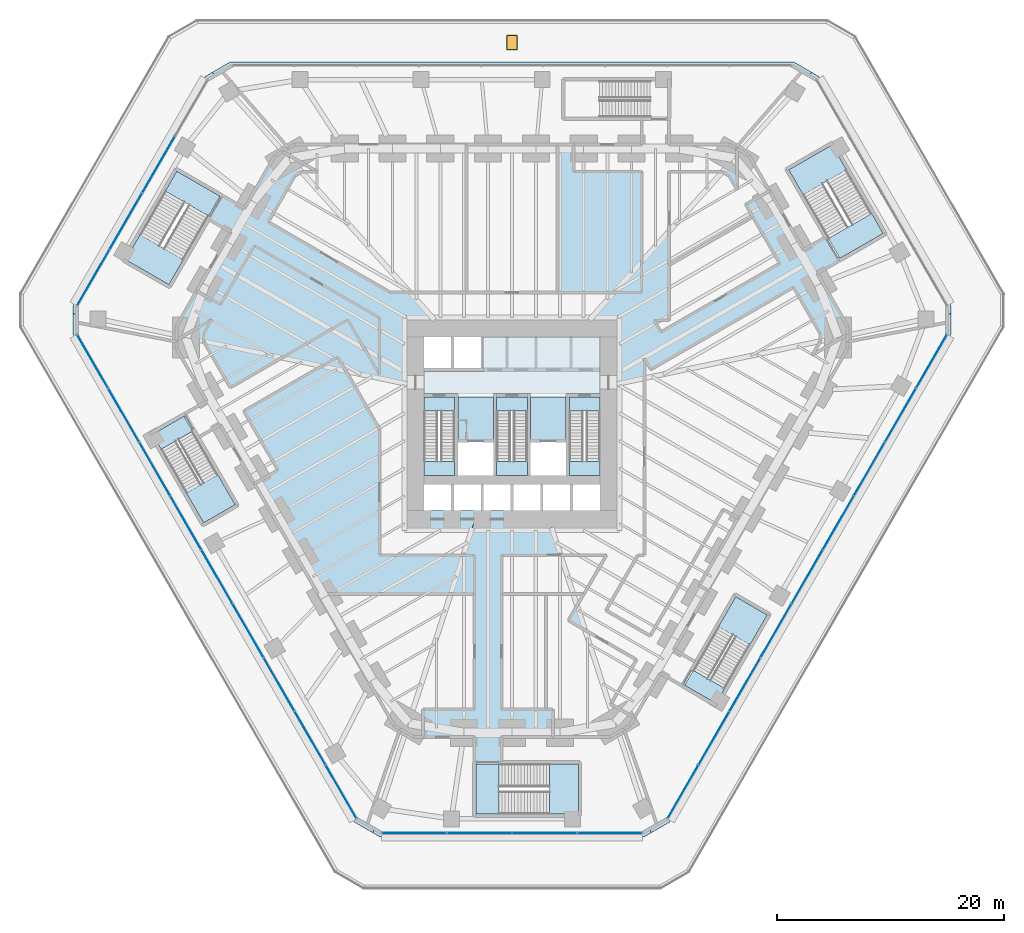
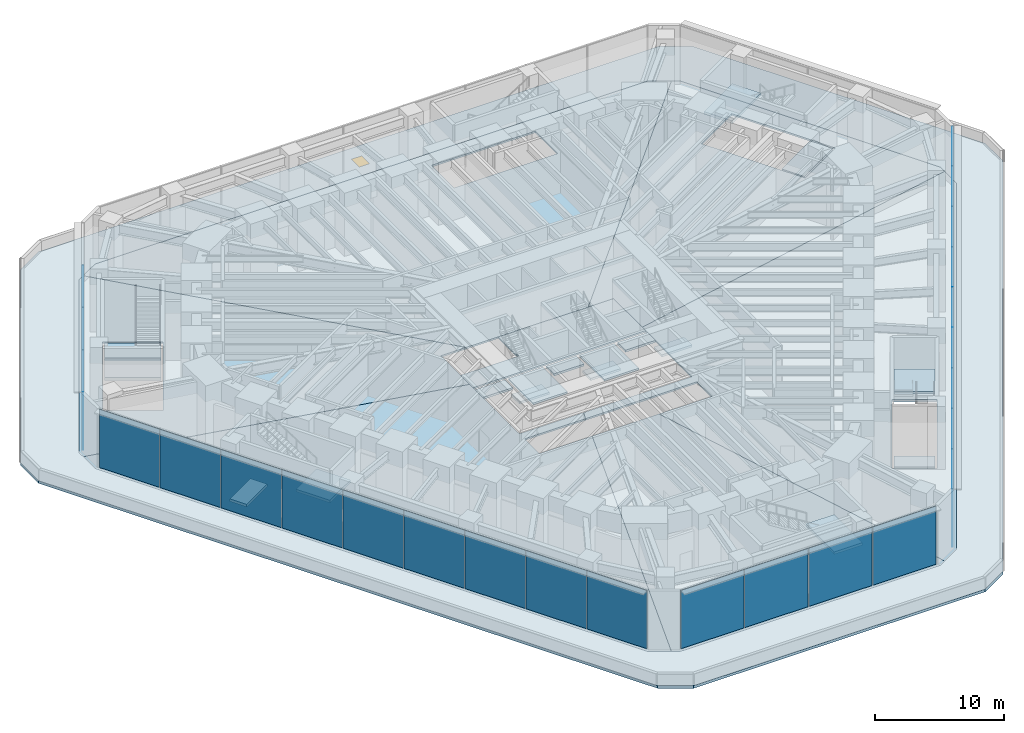
# One storey, part 12 of 24: 26 slabs, 25 plates, 1 window, 1 opening, 12 elements without a shape of their own.
"""IFC4 building model written with IfcOpenShell, lengths in metres."""

import ifcopenshell
import ifcopenshell.guid

model = None  # the IFC model being written
_history = None  # IfcOwnerHistory: only IFC2X3 demands one
_inside = {}  # id of a spatial element -> (the spatial element, [elements in it])
_under = {}  # id of a project, library or spatial element -> (it, [spatial elements below it])
_declared = {}  # id of a project -> (the project, [libraries it declares])
_typed = {}  # id of a type object -> (the type object, [elements of that type])
_made_of = {}  # id of a material, layer set ... -> (it, [elements and type objects made of it])


def new_model(schema):
    """Start an empty IFC model of exactly this schema.

    Asked for "IFC4X3", IfcOpenShell would pick the latest addendum, in which some entities
    have other attributes; the version numbers below select the first issue.
    IFC2X3 requires an IfcOwnerHistory on every rooted entity: one is made here for all.
    """
    global model, _history
    if schema == "IFC4X3":
        model = ifcopenshell.file(schema_version=(4, 3, 0, 0))
    else:
        model = ifcopenshell.file(schema=schema)
    _inside.clear()
    _under.clear()
    _declared.clear()
    _typed.clear()
    _made_of.clear()
    _history = None
    if model.schema == "IFC2X3":
        org = make("IfcOrganization", Name="unknown")
        user = make(
            "IfcPersonAndOrganization",
            ThePerson=make("IfcPerson", FamilyName="unknown"),
            TheOrganization=org,
        )
        app = make(
            "IfcApplication",
            ApplicationDeveloper=org,
            Version="unknown",
            ApplicationFullName="unknown",
            ApplicationIdentifier="unknown",
        )
        _history = make(
            "IfcOwnerHistory",
            OwningUser=user,
            OwningApplication=app,
            ChangeAction="ADDED",
            CreationDate=0,
        )
    return model


def make(cls, **values):
    """One entity of the class cls with the attributes given. An attribute that is None is left unset."""
    return model.create_entity(
        cls, **{name: value for name, value in values.items() if value is not None}
    )


def rooted(cls, **values):
    """An entity with a GlobalId (a new one), such as an element, a storey or a relation."""
    return make(cls, GlobalId=ifcopenshell.guid.new(), OwnerHistory=_history, **values)


def si_unit(unit_type, name, prefix=None):
    """IfcSIUnit, for example si_unit("LENGTHUNIT", "METRE", prefix="MILLI")."""
    return make("IfcSIUnit", UnitType=unit_type, Prefix=prefix, Name=name)


def assignment(units):
    """IfcUnitAssignment: the units of a project."""
    return None if units is None else make("IfcUnitAssignment", Units=units)


def point(xyz):
    """IfcCartesianPoint."""
    return None if xyz is None else make("IfcCartesianPoint", Coordinates=xyz)


def direction(xyz):
    """IfcDirection."""
    return None if xyz is None else make("IfcDirection", DirectionRatios=xyz)


def frame(location, z_axis=None, x_axis=None):
    """IfcAxis2Placement3D, a coordinate frame: its origin and axes. An axis left out is left unset."""
    return make(
        "IfcAxis2Placement3D",
        Location=point(location),
        Axis=direction(z_axis),
        RefDirection=direction(x_axis),
    )


def frame_2d(location, x_axis=None):
    """IfcAxis2Placement2D, a coordinate frame in the plane: its origin and x axis."""
    return make(
        "IfcAxis2Placement2D", Location=point(location), RefDirection=direction(x_axis)
    )


def origin():
    """The frame at (0, 0, 0) with its axes left unset."""
    return frame((0.0, 0.0, 0.0))


def origin_2d():
    """The frame at (0, 0) in the plane with its x axis left unset."""
    return frame_2d((0.0, 0.0))


def place(relative_to, where):
    """IfcLocalPlacement: puts the frame where relative to a parent placement (None: the world)."""
    return make(
        "IfcLocalPlacement", PlacementRelTo=relative_to, RelativePlacement=where
    )


def context(
    kind, dimensions, precision=None, world=None, true_north=None, identifier=None
):
    """IfcGeometricRepresentationContext, for example the 3D "Model" context."""
    return make(
        "IfcGeometricRepresentationContext",
        ContextIdentifier=identifier,
        ContextType=kind,
        CoordinateSpaceDimension=dimensions,
        Precision=precision,
        WorldCoordinateSystem=world,
        TrueNorth=true_north,
    )


def subcontext(parent, identifier, kind, view, scale=None):
    """IfcGeometricRepresentationSubContext, for example "Body" below "Model"."""
    return make(
        "IfcGeometricRepresentationSubContext",
        ContextIdentifier=identifier,
        ContextType=kind,
        ParentContext=parent,
        TargetScale=scale,
        TargetView=view,
    )


def project(units=None, contexts=None):
    """IfcProject with its units and contexts."""
    return rooted(
        "IfcProject",
        Name="project",
        RepresentationContexts=contexts,
        UnitsInContext=assignment(units),
    )


def spatial(cls, under=None, at=None, **own):
    """A site, building, storey or space (cls), placed at a placement, below another one or the project."""
    s = rooted(cls, ObjectPlacement=at, **own)
    if under is not None:
        _under.setdefault(under.id(), (under, []))[1].append(s)
    return s


def polyline(points):
    """IfcPolyline through the points."""
    return make("IfcPolyline", Points=[point(p) for p in points])


def profile(cls, at=None, kind="AREA", **sizes):
    """A parametric profile (cls). Its sizes go by their IFC names, for example OverallWidth=200.0."""
    return make(cls, ProfileType=kind, Position=at, **sizes)


def rectangle(**sizes):
    """IfcRectangleProfileDef."""
    return profile("IfcRectangleProfileDef", **sizes)


def outline(outer, holes=None, kind="AREA"):
    """IfcArbitraryClosedProfileDef: a profile drawn as a closed curve; with holes, ...WithVoids."""
    if holes is None:
        return make("IfcArbitraryClosedProfileDef", ProfileType=kind, OuterCurve=outer)
    return make(
        "IfcArbitraryProfileDefWithVoids",
        ProfileType=kind,
        OuterCurve=outer,
        InnerCurves=holes,
    )


def extrude(swept, where, along, depth):
    """IfcExtrudedAreaSolid: the profile swept, set in the frame where, extruded along a direction by depth."""
    return make(
        "IfcExtrudedAreaSolid",
        SweptArea=swept,
        Position=where,
        ExtrudedDirection=direction(along),
        Depth=depth,
    )


def shape(context_of_items, identifier, shape_type, items):
    """IfcShapeRepresentation: the items that make up one representation, for example the "Body"."""
    return make(
        "IfcShapeRepresentation",
        ContextOfItems=context_of_items,
        RepresentationIdentifier=identifier,
        RepresentationType=shape_type,
        Items=items,
    )


def material(Name=None, Category=None):
    """IfcMaterial."""
    return make("IfcMaterial", Name=Name, Category=Category)


def layer(
    of_material, thickness, ventilated=None, Name=None, Category=None, Priority=None
):
    """IfcMaterialLayer: one layer of a wall or slab, of a material (None: an air gap)."""
    return make(
        "IfcMaterialLayer",
        Material=of_material,
        LayerThickness=thickness,
        IsVentilated=ventilated,
        Name=Name,
        Category=Category,
        Priority=Priority,
    )


def layer_set(layers, Name=None):
    """IfcMaterialLayerSet."""
    return make("IfcMaterialLayerSet", MaterialLayers=layers, LayerSetName=Name)


def made_of(thing, what):
    """Note that an element or type object is made of a material, layer set ...; save() writes the relation."""
    if what is not None:
        _made_of.setdefault(what.id(), (what, []))[1].append(thing)
    return thing


def type_object(cls, material=None, **own):
    """A type object (cls), such as IfcWallType, which elements share."""
    return made_of(rooted(cls, **own), material)


def element(
    cls,
    number,
    at=None,
    inside=None,
    cuts=None,
    type_object=None,
    material=None,
    context=None,
    identifier="Body",
    shape_type=None,
    held_by="IfcProductDefinitionShape",
    body=None,
    shapes=None,
    **own,
):
    """One element of the class cls, such as IfcWall. Its Tag is "e" and its number.

    at: its placement. inside: the storey or other place that contains it. cuts: it is an
    opening in that element (IfcRelVoidsElement). A single representation is given by context,
    identifier, shape_type and body (its items); several are given by shapes. held_by: the class
    of the entity that holds the representations. save() writes the other relations.
    """
    e = rooted(cls, Tag="e%d" % number, ObjectPlacement=at, **own)
    if body is not None:
        shapes = [shape(context, identifier, shape_type, body)]
    if shapes is not None:
        e.Representation = make(held_by, Representations=shapes)
    if inside is not None:
        _inside.setdefault(inside.id(), (inside, []))[1].append(e)
    if cuts is not None:
        rooted(
            "IfcRelVoidsElement", RelatingBuildingElement=cuts, RelatedOpeningElement=e
        )
    if type_object is not None:
        _typed.setdefault(type_object.id(), (type_object, []))[1].append(e)
    return made_of(e, material)


def fill(opening, filler):
    """IfcRelFillsElement: the door or window that sits in an opening."""
    return rooted(
        "IfcRelFillsElement",
        RelatingOpeningElement=opening,
        RelatedBuildingElement=filler,
    )


def aggregate(whole, parts):
    """IfcRelAggregates: a whole, such as a stair, and the parts it consists of."""
    return rooted("IfcRelAggregates", RelatingObject=whole, RelatedObjects=parts)


def save(model, path):
    """Write the relations noted so far, then the file.

    IfcRelAggregates (storeys below a building ...), IfcRelContainedInSpatialStructure (elements
    in a storey), IfcRelDefinesByType, IfcRelAssociatesMaterial and IfcRelDeclares: one each for
    every whole, place, type object, material and project.
    """
    for whole, parts in _under.values():
        aggregate(whole, parts)
    for where, things in _inside.values():
        rooted(
            "IfcRelContainedInSpatialStructure",
            RelatedElements=things,
            RelatingStructure=where,
        )
    for kind, things in _typed.values():
        rooted("IfcRelDefinesByType", RelatedObjects=things, RelatingType=kind)
    for what, things in _made_of.values():
        rooted("IfcRelAssociatesMaterial", RelatedObjects=things, RelatingMaterial=what)
    for by, libraries in _declared.values():
        rooted("IfcRelDeclares", RelatingContext=by, RelatedDefinitions=libraries)
    model.write(path)


model = new_model("IFC4")

# Units and contexts
model_context = context("Model", 3, precision=1e-05, world=origin(), true_north=direction((0.0, 1.0)))
body_context = subcontext(model_context, "Body", "Model", "MODEL_VIEW")
ifc_project = project(units=[si_unit("LENGTHUNIT", "METRE"), si_unit("AREAUNIT", "SQUARE_METRE"), si_unit("VOLUMEUNIT", "CUBIC_METRE"), si_unit("PLANEANGLEUNIT", "RADIAN"), si_unit("MASSUNIT", "GRAM", prefix="KILO")], contexts=[model_context])

# Site, building, storey
site_placement = place(None, origin())
site = spatial("IfcSite", under=ifc_project, at=site_placement, CompositionType="ELEMENT")
building_placement = place(site_placement, origin())
building = spatial("IfcBuilding", under=site, at=building_placement, Name="Sandreach Pilgrim Tower", CompositionType="ELEMENT")
storey_placement = place(building_placement, frame((0.0, 0.0, 12.0)))
storey = spatial("IfcBuildingStorey", under=building, at=storey_placement, Name="L02", CompositionType="ELEMENT", Elevation=12.0)

# Curtain wall, plates
ifc_material_1 = material(Name="Aluminium framed curtain wall", Category="aluminium")
curtain_wall_type = type_object("IfcCurtainWallType", Name="Podium storefront curtain wall", PredefinedType="NOTDEFINED", material=ifc_material_1)
curtain_wall_1_placement = place(storey_placement, origin())
curtain_wall_1 = element("IfcCurtainWall", 1, at=curtain_wall_1_placement, inside=storey, type_object=curtain_wall_type, Name="CW-P L02 SE", PredefinedType="NOTDEFINED")
ifc_material_2 = material(Name="Laminated safety insulating glass unit 10.76 laminated + 16 argon + 10.76 laminated", Category="glass")
ifc_layer_1 = layer(ifc_material_2, 0.0380859375)
ifc_layer_set_1 = layer_set([ifc_layer_1], Name="CW-P panel")
plate_type = type_object("IfcPlateType", Name="CW-P panel", PredefinedType="CURTAIN_PANEL", material=ifc_layer_set_1)
plate_1_placement = place(storey_placement, frame((36.9296875, 3.942138671875, 0.0), z_axis=(0.0, 0.0, 1.0), x_axis=(-0.5, -0.866025403784, 0.0)))
plate_1 = element("IfcPlate", 2, at=plate_1_placement, type_object=plate_type, Name="CW-P panel 1", PredefinedType="CURTAIN_PANEL", context=body_context, shape_type="SweptSolid", body=[
    extrude(rectangle(XDim=5.369140625, YDim=0.0380859375, at=origin_2d()), origin(), (0.0, 0.0, 1.0), 5.530029296875),
])
plate_2_placement = place(storey_placement, frame((34.201416015625, -0.783447265625, 0.0), z_axis=(0.0, 0.0, 1.0), x_axis=(-0.5, -0.866025403784, 0.0)))
plate_2 = element("IfcPlate", 3, at=plate_2_placement, type_object=plate_type, Name="CW-P panel 2", PredefinedType="CURTAIN_PANEL", context=body_context, shape_type="SweptSolid", body=[
    extrude(rectangle(XDim=5.404052734375, YDim=0.0380859375, at=origin_2d()), origin(), (0.0, 0.0, 1.0), 5.530029296875),
])
plate_3_placement = place(storey_placement, frame((31.46435546875, -5.52392578125, 0.0), z_axis=(0.0, 0.0, 1.0), x_axis=(-0.5, -0.866025403784, 0.0)))
plate_3 = element("IfcPlate", 4, at=plate_3_placement, type_object=plate_type, Name="CW-P panel 3", PredefinedType="CURTAIN_PANEL", context=body_context, shape_type="SweptSolid", body=[
    extrude(rectangle(XDim=5.404052734375, YDim=0.0380859375, at=origin_2d()), origin(), (0.0, 0.0, 1.0), 5.530029296875),
])
plate_4_placement = place(storey_placement, frame((28.727294921875, -10.2646484375, 0.0), z_axis=(0.0, 0.0, 1.0), x_axis=(-0.5, -0.866025403784, 0.0)))
plate_4 = element("IfcPlate", 5, at=plate_4_placement, type_object=plate_type, Name="CW-P panel 4", PredefinedType="CURTAIN_PANEL", context=body_context, shape_type="SweptSolid", body=[
    extrude(rectangle(XDim=5.404052734375, YDim=0.0380859375, at=origin_2d()), origin(), (0.0, 0.0, 1.0), 5.530029296875),
])
plate_5_placement = place(storey_placement, frame((25.990234375, -15.00537109375, 0.0), z_axis=(0.0, 0.0, 1.0), x_axis=(-0.5, -0.866025403784, 0.0)))
plate_5 = element("IfcPlate", 6, at=plate_5_placement, type_object=plate_type, Name="CW-P panel 5", PredefinedType="CURTAIN_PANEL", context=body_context, shape_type="SweptSolid", body=[
    extrude(rectangle(XDim=5.404052734375, YDim=0.0380859375, at=origin_2d()), origin(), (0.0, 0.0, 1.0), 5.530029296875),
])
plate_6_placement = place(storey_placement, frame((23.253173828125, -19.74609375, 0.0), z_axis=(0.0, 0.0, 1.0), x_axis=(-0.5, -0.866025403784, 0.0)))
plate_6 = element("IfcPlate", 7, at=plate_6_placement, type_object=plate_type, Name="CW-P panel 6", PredefinedType="CURTAIN_PANEL", context=body_context, shape_type="SweptSolid", body=[
    extrude(rectangle(XDim=5.404052734375, YDim=0.0380859375, at=origin_2d()), origin(), (0.0, 0.0, 1.0), 5.530029296875),
])
plate_7_placement = place(storey_placement, frame((20.51611328125, -24.48681640625, 0.0), z_axis=(0.0, 0.0, 1.0), x_axis=(-0.5, -0.866025403784, 0.0)))
plate_7 = element("IfcPlate", 8, at=plate_7_placement, type_object=plate_type, Name="CW-P panel 7", PredefinedType="CURTAIN_PANEL", context=body_context, shape_type="SweptSolid", body=[
    extrude(rectangle(XDim=5.404052734375, YDim=0.0380859375, at=origin_2d()), origin(), (0.0, 0.0, 1.0), 5.530029296875),
])
plate_8_placement = place(storey_placement, frame((17.779052734375, -29.2275390625, 0.0), z_axis=(0.0, 0.0, 1.0), x_axis=(-0.5, -0.866025403784, 0.0)))
plate_8 = element("IfcPlate", 9, at=plate_8_placement, type_object=plate_type, Name="CW-P panel 8", PredefinedType="CURTAIN_PANEL", context=body_context, shape_type="SweptSolid", body=[
    extrude(rectangle(XDim=5.404052734375, YDim=0.0380859375, at=origin_2d()), origin(), (0.0, 0.0, 1.0), 5.530029296875),
])
plate_9_placement = place(storey_placement, frame((15.05078125, -33.953125, 0.0), z_axis=(0.0, 0.0, 1.0), x_axis=(-0.5, -0.866025403784, 0.0)))
plate_9 = element("IfcPlate", 10, at=plate_9_placement, type_object=plate_type, Name="CW-P panel 9", PredefinedType="CURTAIN_PANEL", context=body_context, shape_type="SweptSolid", body=[
    extrude(rectangle(XDim=5.369140625, YDim=0.0380859375, at=origin_2d()), origin(), (0.0, 0.0, 1.0), 5.530029296875),
])
aggregate(curtain_wall_1, [plate_1, plate_2, plate_3, plate_4, plate_5, plate_6, plate_7, plate_8, plate_9])

curtain_wall_2_placement = place(storey_placement, origin())
curtain_wall_2 = element("IfcCurtainWall", 11, at=curtain_wall_2_placement, inside=storey, type_object=curtain_wall_type, Name="CW-P L02 S", PredefinedType="NOTDEFINED")
plate_10_placement = place(storey_placement, frame((8.61376953125, -37.588623046875, 0.0), z_axis=(0.0, 0.0, 1.0), x_axis=(-1.0, 0.0, 0.0)))
plate_10 = element("IfcPlate", 12, at=plate_10_placement, type_object=plate_type, Name="CW-P panel 1", PredefinedType="CURTAIN_PANEL", context=body_context, shape_type="SweptSolid", body=[
    extrude(rectangle(XDim=5.649169921875, YDim=0.0380859375, at=origin_2d()), origin(), (0.0, 0.0, 1.0), 5.530029296875),
])
plate_11_placement = place(storey_placement, frame((2.877197265625, -37.588623046875, 0.0), z_axis=(0.0, 0.0, 1.0), x_axis=(-1.0, 0.0, 0.0)))
plate_11 = element("IfcPlate", 13, at=plate_11_placement, type_object=plate_type, Name="CW-P panel 2", PredefinedType="CURTAIN_PANEL", context=body_context, shape_type="SweptSolid", body=[
    extrude(rectangle(XDim=5.684326171875, YDim=0.0380859375, at=origin_2d()), origin(), (0.0, 0.0, 1.0), 5.530029296875),
])
plate_12_placement = place(storey_placement, frame((-2.877197265625, -37.588623046875, 0.0), z_axis=(0.0, 0.0, 1.0), x_axis=(-1.0, 0.0, 0.0)))
plate_12 = element("IfcPlate", 14, at=plate_12_placement, type_object=plate_type, Name="CW-P panel 3", PredefinedType="CURTAIN_PANEL", context=body_context, shape_type="SweptSolid", body=[
    extrude(rectangle(XDim=5.684326171875, YDim=0.0380859375, at=origin_2d()), origin(), (0.0, 0.0, 1.0), 5.530029296875),
])
plate_13_placement = place(storey_placement, frame((-8.61376953125, -37.588623046875, 0.0), z_axis=(0.0, 0.0, 1.0), x_axis=(-1.0, 0.0, 0.0)))
plate_13 = element("IfcPlate", 15, at=plate_13_placement, type_object=plate_type, Name="CW-P panel 4", PredefinedType="CURTAIN_PANEL", context=body_context, shape_type="SweptSolid", body=[
    extrude(rectangle(XDim=5.649169921875, YDim=0.0380859375, at=origin_2d()), origin(), (0.0, 0.0, 1.0), 5.530029296875),
])
aggregate(curtain_wall_2, [plate_10, plate_11, plate_12, plate_13])

curtain_wall_3_placement = place(storey_placement, origin())
curtain_wall_3 = element("IfcCurtainWall", 16, at=curtain_wall_3_placement, inside=storey, type_object=curtain_wall_type, Name="CW-P L02 SW", PredefinedType="NOTDEFINED")
plate_14_placement = place(storey_placement, frame((-15.05078125, -33.953125, 0.0), z_axis=(0.0, 0.0, 1.0), x_axis=(-0.5, 0.866025403784, 0.0)))
plate_14 = element("IfcPlate", 17, at=plate_14_placement, type_object=plate_type, Name="CW-P panel 1", PredefinedType="CURTAIN_PANEL", context=body_context, shape_type="SweptSolid", body=[
    extrude(rectangle(XDim=5.369140625, YDim=0.0380859375, at=origin_2d()), origin(), (0.0, 0.0, 1.0), 5.530029296875),
])
plate_15_placement = place(storey_placement, frame((-17.779052734375, -29.2275390625, 0.0), z_axis=(0.0, 0.0, 1.0), x_axis=(-0.5, 0.866025403784, 0.0)))
plate_15 = element("IfcPlate", 18, at=plate_15_placement, type_object=plate_type, Name="CW-P panel 2", PredefinedType="CURTAIN_PANEL", context=body_context, shape_type="SweptSolid", body=[
    extrude(rectangle(XDim=5.404052734375, YDim=0.0380859375, at=origin_2d()), origin(), (0.0, 0.0, 1.0), 5.530029296875),
])
plate_16_placement = place(storey_placement, frame((-20.51611328125, -24.48681640625, 0.0), z_axis=(0.0, 0.0, 1.0), x_axis=(-0.5, 0.866025403784, 0.0)))
plate_16 = element("IfcPlate", 19, at=plate_16_placement, type_object=plate_type, Name="CW-P panel 3", PredefinedType="CURTAIN_PANEL", context=body_context, shape_type="SweptSolid", body=[
    extrude(rectangle(XDim=5.404052734375, YDim=0.0380859375, at=origin_2d()), origin(), (0.0, 0.0, 1.0), 5.530029296875),
])
plate_17_placement = place(storey_placement, frame((-23.253173828125, -19.74609375, 0.0), z_axis=(0.0, 0.0, 1.0), x_axis=(-0.5, 0.866025403784, 0.0)))
plate_17 = element("IfcPlate", 20, at=plate_17_placement, type_object=plate_type, Name="CW-P panel 4", PredefinedType="CURTAIN_PANEL", context=body_context, shape_type="SweptSolid", body=[
    extrude(rectangle(XDim=5.404052734375, YDim=0.0380859375, at=origin_2d()), origin(), (0.0, 0.0, 1.0), 5.530029296875),
])
plate_18_placement = place(storey_placement, frame((-25.990234375, -15.00537109375, 0.0), z_axis=(0.0, 0.0, 1.0), x_axis=(-0.5, 0.866025403784, 0.0)))
plate_18 = element("IfcPlate", 21, at=plate_18_placement, type_object=plate_type, Name="CW-P panel 5", PredefinedType="CURTAIN_PANEL", context=body_context, shape_type="SweptSolid", body=[
    extrude(rectangle(XDim=5.404052734375, YDim=0.0380859375, at=origin_2d()), origin(), (0.0, 0.0, 1.0), 5.530029296875),
])
plate_19_placement = place(storey_placement, frame((-28.727294921875, -10.2646484375, 0.0), z_axis=(0.0, 0.0, 1.0), x_axis=(-0.5, 0.866025403784, 0.0)))
plate_19 = element("IfcPlate", 22, at=plate_19_placement, type_object=plate_type, Name="CW-P panel 6", PredefinedType="CURTAIN_PANEL", context=body_context, shape_type="SweptSolid", body=[
    extrude(rectangle(XDim=5.404052734375, YDim=0.0380859375, at=origin_2d()), origin(), (0.0, 0.0, 1.0), 5.530029296875),
])
plate_20_placement = place(storey_placement, frame((-31.46435546875, -5.52392578125, 0.0), z_axis=(0.0, 0.0, 1.0), x_axis=(-0.5, 0.866025403784, 0.0)))
plate_20 = element("IfcPlate", 23, at=plate_20_placement, type_object=plate_type, Name="CW-P panel 7", PredefinedType="CURTAIN_PANEL", context=body_context, shape_type="SweptSolid", body=[
    extrude(rectangle(XDim=5.404052734375, YDim=0.0380859375, at=origin_2d()), origin(), (0.0, 0.0, 1.0), 5.530029296875),
])
plate_21_placement = place(storey_placement, frame((-34.201416015625, -0.783447265625, 0.0), z_axis=(0.0, 0.0, 1.0), x_axis=(-0.5, 0.866025403784, 0.0)))
plate_21 = element("IfcPlate", 24, at=plate_21_placement, type_object=plate_type, Name="CW-P panel 8", PredefinedType="CURTAIN_PANEL", context=body_context, shape_type="SweptSolid", body=[
    extrude(rectangle(XDim=5.404052734375, YDim=0.0380859375, at=origin_2d()), origin(), (0.0, 0.0, 1.0), 5.530029296875),
])
plate_22_placement = place(storey_placement, frame((-36.9296875, 3.942138671875, 0.0), z_axis=(0.0, 0.0, 1.0), x_axis=(-0.5, 0.866025403784, 0.0)))
plate_22 = element("IfcPlate", 25, at=plate_22_placement, type_object=plate_type, Name="CW-P panel 9", PredefinedType="CURTAIN_PANEL", context=body_context, shape_type="SweptSolid", body=[
    extrude(rectangle(XDim=5.369140625, YDim=0.0380859375, at=origin_2d()), origin(), (0.0, 0.0, 1.0), 5.530029296875),
])
aggregate(curtain_wall_3, [plate_14, plate_15, plate_16, plate_17, plate_18, plate_19, plate_20, plate_21, plate_22])

curtain_wall_4_placement = place(storey_placement, origin())
curtain_wall_4 = element("IfcCurtainWall", 26, at=curtain_wall_4_placement, inside=storey, type_object=curtain_wall_type, Name="CW-P L02 NW", PredefinedType="NOTDEFINED")
plate_23_placement = place(storey_placement, frame((-36.859619140625, 11.33447265625, 0.0), z_axis=(0.0, 0.0, 1.0), x_axis=(0.5, 0.866025403784, 0.0)))
plate_23 = element("IfcPlate", 27, at=plate_23_placement, type_object=plate_type, Name="CW-P panel 1", PredefinedType="CURTAIN_PANEL", context=body_context, shape_type="SweptSolid", body=[
    extrude(rectangle(XDim=5.649169921875, YDim=0.0380859375, at=origin_2d()), origin(), (0.0, 0.0, 1.0), 5.530029296875),
])
plate_24_placement = place(storey_placement, frame((-33.9912109375, 16.302734375, 0.0), z_axis=(0.0, 0.0, 1.0), x_axis=(0.5, 0.866025403784, 0.0)))
plate_24 = element("IfcPlate", 28, at=plate_24_placement, type_object=plate_type, Name="CW-P panel 2", PredefinedType="CURTAIN_PANEL", context=body_context, shape_type="SweptSolid", body=[
    extrude(rectangle(XDim=5.684326171875, YDim=0.0380859375, at=origin_2d()), origin(), (0.0, 0.0, 1.0), 5.530029296875),
])
plate_25_placement = place(storey_placement, frame((-31.1142578125, 21.285888671875, 0.0), z_axis=(0.0, 0.0, 1.0), x_axis=(0.5, 0.866025403784, 0.0)))
plate_25 = element("IfcPlate", 29, at=plate_25_placement, type_object=plate_type, Name="CW-P panel 3", PredefinedType="CURTAIN_PANEL", context=body_context, shape_type="SweptSolid", body=[
    extrude(rectangle(XDim=5.684326171875, YDim=0.0380859375, at=origin_2d()), origin(), (0.0, 0.0, 1.0), 5.530029296875),
])
aggregate(curtain_wall_4, [plate_23, plate_24, plate_25])

# Slabs
ifc_material_3 = material(Name="Concrete 8000 psi", Category="concrete")
ifc_layer_2 = layer(ifc_material_3, 0.159912109375)
ifc_layer_set_2 = layer_set([ifc_layer_2], Name="Composite floor slab 160")
slab_type_1 = type_object("IfcSlabType", Name="Composite floor slab 160", PredefinedType="FLOOR", material=ifc_layer_set_2)
slab_1_placement = place(storey_placement, frame((0.0, 0.0, -0.159912109375)))
element("IfcSlab", 30, at=slab_1_placement, inside=storey, type_object=slab_type_1, Name="Floor slab L02 N sector", PredefinedType="FLOOR", context=body_context, shape_type="SweptSolid", body=[
    extrude(outline(polyline([(-24.806640625, 30.310791015625), (24.806640625, 30.310791015625), (26.394287109375, 29.394287109375), (5.477294921875, 6.10009765625), (-5.477294921875, 6.10009765625), (-26.394287109375, 29.394287109375), (-24.806640625, 30.310791015625)]), holes=[polyline([(4.52978515625, 25.298583984375), (13.829833984375, 25.298583984375), (13.829833984375, 28.798583984375), (4.52978515625, 28.798583984375), (4.52978515625, 25.298583984375)])]), origin(), (0.0, 0.0, 1.0), 0.159912109375),
])
slab_2_placement = place(storey_placement, frame((0.0, 0.0, -0.159912109375)))
element("IfcSlab", 31, at=slab_2_placement, inside=storey, type_object=slab_type_1, Name="Floor slab L02 NE sector", PredefinedType="FLOOR", context=body_context, shape_type="SweptSolid", body=[
    extrude(outline(polyline([(26.9716796875, 29.060791015625), (38.6533203125, 8.82763671875), (38.6533203125, 8.160888671875), (7.75, 1.63623046875), (7.75, 6.10009765625), (5.477294921875, 6.10009765625), (26.394287109375, 29.394287109375), (26.9716796875, 29.060791015625)]), holes=[polyline([(24.164794921875, 20.866943359375), (28.81494140625, 12.81298828125), (32.88525390625, 15.162841796875), (28.235107421875, 23.216796875), (24.164794921875, 20.866943359375)])]), origin(), (0.0, 0.0, 1.0), 0.159912109375),
])
slab_3_placement = place(storey_placement, frame((0.0, 0.0, -0.159912109375)))
element("IfcSlab", 32, at=slab_3_placement, inside=storey, type_object=slab_type_1, Name="Floor slab L02 SE sector", PredefinedType="FLOOR", context=body_context, shape_type="SweptSolid", body=[
    extrude(outline(polyline([(13.8466796875, -36.638671875), (12.259033203125, -37.55517578125), (3.003173828125, -9.199951171875), (7.75, -9.199951171875), (7.75, -6.89990234375), (-2.252197265625, -6.89990234375), (-1.9912109375, -6.10009765625), (7.75, -6.10009765625), (7.75, 1.63623046875), (38.6533203125, 8.160888671875), (38.6533203125, 6.32763671875), (13.8466796875, -36.638671875)]), holes=[polyline([(14.994384765625, -24.626220703125), (18.025390625, -26.376220703125), (22.675537109375, -18.322265625), (19.644287109375, -16.572265625), (14.994384765625, -24.626220703125)])]), origin(), (0.0, 0.0, 1.0), 0.159912109375),
])
slab_4_placement = place(storey_placement, frame((0.0, 0.0, -0.159912109375)))
element("IfcSlab", 33, at=slab_4_placement, inside=storey, type_object=slab_type_1, Name="Floor slab L02 S sector", PredefinedType="FLOOR", context=body_context, shape_type="SweptSolid", body=[
    extrude(outline(polyline([(11.681640625, -37.888671875), (-11.681640625, -37.888671875), (-12.259033203125, -37.55517578125), (-3.003173828125, -9.199951171875), (3.003173828125, -9.199951171875), (12.259033203125, -37.55517578125), (11.681640625, -37.888671875)]), holes=[polyline([(5.98876953125, -31.36083984375), (-3.311279296875, -31.36083984375), (-3.311279296875, -36.060791015625), (5.98876953125, -36.060791015625), (5.98876953125, -31.36083984375)])]), origin(), (0.0, 0.0, 1.0), 0.159912109375),
])
slab_5_placement = place(storey_placement, frame((0.0, 0.0, -0.159912109375)))
element("IfcSlab", 34, at=slab_5_placement, inside=storey, type_object=slab_type_1, Name="Floor slab L02 SW sector", PredefinedType="FLOOR", context=body_context, shape_type="SweptSolid", body=[
    extrude(outline(polyline([(-13.8466796875, -36.638671875), (-38.6533203125, 6.32763671875), (-38.6533203125, 8.160888671875), (-7.75, 1.63623046875), (-7.75, -6.10009765625), (-1.9912109375, -6.10009765625), (-2.252197265625, -6.89990234375), (-7.75, -6.89990234375), (-7.75, -9.199951171875), (-3.003173828125, -9.199951171875), (-12.259033203125, -37.55517578125), (-13.8466796875, -36.638671875)]), holes=[polyline([(-24.17431640625, -8.7265625), (-28.82421875, -0.67236328125), (-31.855224609375, -2.42236328125), (-27.205322265625, -10.4765625), (-24.17431640625, -8.7265625)])]), origin(), (0.0, 0.0, 1.0), 0.159912109375),
])
slab_6_placement = place(storey_placement, frame((0.0, 0.0, -0.159912109375)))
element("IfcSlab", 35, at=slab_6_placement, inside=storey, type_object=slab_type_1, Name="Floor slab L02 NW sector", PredefinedType="FLOOR", context=body_context, shape_type="SweptSolid", body=[
    extrude(outline(polyline([(-38.6533203125, 8.82763671875), (-26.9716796875, 29.060791015625), (-26.394287109375, 29.394287109375), (-5.477294921875, 6.10009765625), (-7.75, 6.10009765625), (-7.75, 1.63623046875), (-38.6533203125, 8.160888671875), (-38.6533203125, 8.82763671875)]), holes=[polyline([(-30.15380859375, 10.493896484375), (-25.503662109375, 18.548095703125), (-29.57421875, 20.89794921875), (-34.22412109375, 12.843994140625), (-30.15380859375, 10.493896484375)])]), origin(), (0.0, 0.0, 1.0), 0.159912109375),
])
slab_7_placement = place(storey_placement, frame((0.0, 0.0, -0.159912109375)))
element("IfcSlab", 36, at=slab_7_placement, inside=storey, type_object=slab_type_1, Name="Core floor slab and stores L02", PredefinedType="FLOOR", context=body_context, shape_type="SweptSolid", body=[
    extrude(outline(polyline([(-7.75, 3.050048828125), (-5.375, 3.050048828125), (-5.125, 3.050048828125), (-2.5, 3.050048828125), (-2.5, 3.35009765625), (-2.60009765625, 3.35009765625), (-2.60009765625, 6.10009765625), (7.75, 6.10009765625), (7.75, 1.10009765625), (5.050048828125, 1.10009765625), (4.75, 1.10009765625), (1.64990234375, 1.10009765625), (1.35009765625, 1.10009765625), (-1.35009765625, 1.10009765625), (-1.64990234375, 1.10009765625), (-4.75, 1.10009765625), (-5.050048828125, 1.10009765625), (-7.75, 1.10009765625), (-7.75, 3.050048828125)])), origin(), (0.0, 0.0, 1.0), 0.159912109375),
])
slab_8_placement = place(storey_placement, frame((0.0, 0.0, -0.159912109375)))
element("IfcSlab", 37, at=slab_8_placement, inside=storey, type_object=slab_type_1, Name="Core floor slab and stores L02 2", PredefinedType="FLOOR", context=body_context, shape_type="SweptSolid", body=[
    extrude(outline(polyline([(-1.64990234375, -3.050048828125), (-4.75, -3.050048828125), (-4.75, 0.800048828125), (-1.64990234375, 0.800048828125), (-1.64990234375, -3.050048828125)])), origin(), (0.0, 0.0, 1.0), 0.159912109375),
])
slab_9_placement = place(storey_placement, frame((0.0, 0.0, -0.159912109375)))
element("IfcSlab", 38, at=slab_9_placement, inside=storey, type_object=slab_type_1, Name="Core floor slab and stores L02 3", PredefinedType="FLOOR", context=body_context, shape_type="SweptSolid", body=[
    extrude(outline(polyline([(4.75, -3.050048828125), (1.64990234375, -3.050048828125), (1.64990234375, 0.800048828125), (4.75, 0.800048828125), (4.75, -3.050048828125)])), origin(), (0.0, 0.0, 1.0), 0.159912109375),
])

# Stair, slabs
ifc_material_4 = material(Name="Concrete 8000 psi", Category="concrete")
stair_type_1 = type_object("IfcStairType", Name="Core exit stair", PredefinedType="HALF_TURN_STAIR", material=ifc_material_4)
stair_1_placement = place(storey_placement, origin())
stair_1 = element("IfcStair", 39, at=stair_1_placement, inside=storey, type_object=stair_type_1, Name="Exit stair ST1 L02", PredefinedType="HALF_TURN_STAIR")
ifc_material_5 = material(Name="Concrete 8000 psi", Category="concrete")
ifc_layer_3 = layer(ifc_material_5, 0.199951171875)
ifc_layer_set_3 = layer_set([ifc_layer_3], Name="Core stair landing 200")
slab_type_2 = type_object("IfcSlabType", Name="Core stair landing 200", PredefinedType="LANDING", material=ifc_layer_set_3)
slab_10_placement = place(storey_placement, frame((0.0, 0.0, -0.199951171875)))
slab_10 = element("IfcSlab", 40, at=slab_10_placement, type_object=slab_type_2, Name="ST1 landing 1", PredefinedType="LANDING", context=body_context, shape_type="SweptSolid", body=[
    extrude(outline(polyline([(-7.75, -0.425048828125), (-5.050048828125, -0.425048828125), (-5.050048828125, 0.800048828125), (-7.75, 0.800048828125), (-7.75, -0.425048828125)])), origin(), (0.0, 0.0, 1.0), 0.199951171875),
])
slab_11_placement = place(storey_placement, frame((0.0, 0.0, 2.800048828125)))
slab_11 = element("IfcSlab", 41, at=slab_11_placement, type_object=slab_type_2, Name="ST1 landing 2", PredefinedType="LANDING", context=body_context, shape_type="SweptSolid", body=[
    extrude(outline(polyline([(-7.75, -6.10009765625), (-5.050048828125, -6.10009765625), (-5.050048828125, -4.85498046875), (-7.75, -4.85498046875), (-7.75, -6.10009765625)])), origin(), (0.0, 0.0, 1.0), 0.199951171875),
])
aggregate(stair_1, [slab_10, slab_11])

stair_2_placement = place(storey_placement, origin())
stair_2 = element("IfcStair", 42, at=stair_2_placement, inside=storey, type_object=stair_type_1, Name="Exit stair ST3 L02", PredefinedType="HALF_TURN_STAIR")
slab_12_placement = place(storey_placement, frame((0.0, 0.0, -0.199951171875)))
slab_12 = element("IfcSlab", 43, at=slab_12_placement, type_object=slab_type_2, Name="ST3 landing 1", PredefinedType="LANDING", context=body_context, shape_type="SweptSolid", body=[
    extrude(outline(polyline([(-1.35009765625, -0.425048828125), (1.35009765625, -0.425048828125), (1.35009765625, 0.800048828125), (-1.35009765625, 0.800048828125), (-1.35009765625, -0.425048828125)])), origin(), (0.0, 0.0, 1.0), 0.199951171875),
])
slab_13_placement = place(storey_placement, frame((0.0, 0.0, 2.800048828125)))
slab_13 = element("IfcSlab", 44, at=slab_13_placement, type_object=slab_type_2, Name="ST3 landing 2", PredefinedType="LANDING", context=body_context, shape_type="SweptSolid", body=[
    extrude(outline(polyline([(-1.35009765625, -6.10009765625), (1.35009765625, -6.10009765625), (1.35009765625, -4.85498046875), (-1.35009765625, -4.85498046875), (-1.35009765625, -6.10009765625)])), origin(), (0.0, 0.0, 1.0), 0.199951171875),
])
aggregate(stair_2, [slab_12, slab_13])

stair_3_placement = place(storey_placement, origin())
stair_3 = element("IfcStair", 45, at=stair_3_placement, inside=storey, type_object=stair_type_1, Name="Exit stair ST2 L02", PredefinedType="HALF_TURN_STAIR")
slab_14_placement = place(storey_placement, frame((0.0, 0.0, -0.199951171875)))
slab_14 = element("IfcSlab", 46, at=slab_14_placement, type_object=slab_type_2, Name="ST2 landing 1", PredefinedType="LANDING", context=body_context, shape_type="SweptSolid", body=[
    extrude(outline(polyline([(5.050048828125, -0.425048828125), (7.75, -0.425048828125), (7.75, 0.800048828125), (5.050048828125, 0.800048828125), (5.050048828125, -0.425048828125)])), origin(), (0.0, 0.0, 1.0), 0.199951171875),
])
slab_15_placement = place(storey_placement, frame((0.0, 0.0, 2.800048828125)))
slab_15 = element("IfcSlab", 47, at=slab_15_placement, type_object=slab_type_2, Name="ST2 landing 2", PredefinedType="LANDING", context=body_context, shape_type="SweptSolid", body=[
    extrude(outline(polyline([(5.050048828125, -6.10009765625), (7.75, -6.10009765625), (7.75, -4.85498046875), (5.050048828125, -4.85498046875), (5.050048828125, -6.10009765625)])), origin(), (0.0, 0.0, 1.0), 0.199951171875),
])
aggregate(stair_3, [slab_14, slab_15])

# Slab, opening, window
ifc_material_6 = material(Name="Concrete 8000 psi", Category="concrete")
ifc_layer_4 = layer(ifc_material_6, 0.25)
ifc_layer_set_4 = layer_set([ifc_layer_4], Name="Podium planted roof slab 250")
slab_type_3 = type_object("IfcSlabType", Name="Podium planted roof slab 250", PredefinedType="ROOF", material=ifc_layer_set_4)
slab_16_placement = place(storey_placement, frame((0.0, 0.0, -0.25)))
slab_16 = element("IfcSlab", 48, at=slab_16_placement, inside=storey, type_object=slab_type_3, Name="Podium planted roof L02", PredefinedType="ROOF", context=body_context, shape_type="SweptSolid", body=[
    extrude(outline(polyline([(-27.783447265625, 33.9482421875), (-30.208251953125, 32.548095703125), (-43.291748046875, 9.886962890625), (-43.291748046875, 7.087158203125), (-15.50830078125, -41.03515625), (-13.08349609375, -42.435302734375), (13.08349609375, -42.435302734375), (15.50830078125, -41.03515625), (43.291748046875, 7.087158203125), (43.291748046875, 9.886962890625), (30.208251953125, 32.548095703125), (27.783447265625, 33.9482421875), (-27.783447265625, 33.9482421875)]), holes=[polyline([(-24.806640625, 30.310791015625), (-26.9716796875, 29.060791015625), (-38.6533203125, 8.82763671875), (-38.6533203125, 6.32763671875), (-13.8466796875, -36.638671875), (-11.681640625, -37.888671875), (11.681640625, -37.888671875), (13.8466796875, -36.638671875), (38.6533203125, 6.32763671875), (38.6533203125, 8.82763671875), (26.9716796875, 29.060791015625), (24.806640625, 30.310791015625), (-24.806640625, 30.310791015625)])]), origin(), (0.0, 0.0, 1.0), 0.25),
])
opening_placement = place(slab_16_placement, frame((0.0, 32.029541015625, 0.0)))
opening = element("IfcOpeningElement", 49, at=opening_placement, cuts=slab_16, Name="Opening RH1", PredefinedType="OPENING", context=body_context, shape_type="SweptSolid", body=[
    extrude(rectangle(XDim=0.89990234375, YDim=1.199951171875, at=origin_2d()), origin(), (0.0, 0.0, 1.0), 0.25),
])
ifc_material_7 = material(Name="Insulated aluminium roof hatch", Category="aluminium")
window_type = type_object("IfcWindowType", Name="Roof access hatch", PartitioningType="SINGLE_PANEL", PredefinedType="SKYLIGHT", material=ifc_material_7)
window_placement = place(opening_placement, frame((0.0, 0.0, 0.199951171875)))
window = element("IfcWindow", 50, at=window_placement, inside=storey, type_object=window_type, Name="Roof access hatch L02", OverallHeight=1.199951171875, OverallWidth=0.89990234375, PartitioningType="SINGLE_PANEL", PredefinedType="SKYLIGHT", context=body_context, shape_type="SweptSolid", body=[
    extrude(rectangle(XDim=0.89990234375, YDim=1.199951171875, at=origin_2d()), origin(), (0.0, 0.0, 1.0), 0.050048828125),
])
fill(opening, window)

# Stair, slabs
ifc_material_8 = material(Name="Concrete 8000 psi", Category="concrete")
stair_type_2 = type_object("IfcStairType", Name="Podium exit stair", PredefinedType="HALF_TURN_STAIR", material=ifc_material_8)
stair_4_placement = place(storey_placement, origin())
stair_4 = element("IfcStair", 51, at=stair_4_placement, inside=storey, type_object=stair_type_2, Name="Exit stair ST4 L02", PredefinedType="HALF_TURN_STAIR")
ifc_material_9 = material(Name="Concrete 8000 psi", Category="concrete")
ifc_layer_5 = layer(ifc_material_9, 0.25)
ifc_layer_set_5 = layer_set([ifc_layer_5], Name="Podium stair landing 250")
slab_type_4 = type_object("IfcSlabType", Name="Podium stair landing 250", PredefinedType="LANDING", material=ifc_layer_set_5)
slab_17_placement = place(storey_placement, frame((0.0, 0.0, -0.25)))
slab_17 = element("IfcSlab", 52, at=slab_17_placement, type_object=slab_type_4, Name="ST4 landing 1", PredefinedType="LANDING", context=body_context, shape_type="SweptSolid", body=[
    extrude(outline(polyline([(28.869873046875, 13.017822265625), (27.857421875, 14.771484375), (31.667724609375, 16.971435546875), (32.680419921875, 15.2177734375), (28.869873046875, 13.017822265625)])), origin(), (0.0, 0.0, 1.0), 0.25),
])
slab_18_placement = place(storey_placement, frame((0.0, 0.0, 2.75)))
slab_18 = element("IfcSlab", 53, at=slab_18_placement, type_object=slab_type_4, Name="ST4 landing 2", PredefinedType="LANDING", context=body_context, shape_type="SweptSolid", body=[
    extrude(outline(polyline([(25.642333984375, 18.60791015625), (24.369873046875, 20.81201171875), (28.180419921875, 23.011962890625), (29.452880859375, 20.80810546875), (25.642333984375, 18.60791015625)])), origin(), (0.0, 0.0, 1.0), 0.25),
])
aggregate(stair_4, [slab_17, slab_18])

stair_5_placement = place(storey_placement, origin())
stair_5 = element("IfcStair", 54, at=stair_5_placement, inside=storey, type_object=stair_type_2, Name="Exit stair ST5 L02", PredefinedType="HALF_TURN_STAIR")
slab_19_placement = place(storey_placement, frame((0.0, 0.0, -0.25)))
slab_19 = element("IfcSlab", 55, at=slab_19_placement, type_object=slab_type_4, Name="ST5 landing 1", PredefinedType="LANDING", context=body_context, shape_type="SweptSolid", body=[
    extrude(outline(polyline([(-3.1611328125, -31.510986328125), (-1.13623046875, -31.510986328125), (-1.13623046875, -35.910888671875), (-3.1611328125, -35.910888671875), (-3.1611328125, -31.510986328125)])), origin(), (0.0, 0.0, 1.0), 0.25),
])
slab_20_placement = place(storey_placement, frame((0.0, 0.0, 2.75)))
slab_20 = element("IfcSlab", 56, at=slab_20_placement, type_object=slab_type_4, Name="ST5 landing 2", PredefinedType="LANDING", context=body_context, shape_type="SweptSolid", body=[
    extrude(outline(polyline([(3.2939453125, -31.510986328125), (5.8388671875, -31.510986328125), (5.8388671875, -35.910888671875), (3.2939453125, -35.910888671875), (3.2939453125, -31.510986328125)])), origin(), (0.0, 0.0, 1.0), 0.25),
])
aggregate(stair_5, [slab_19, slab_20])

stair_6_placement = place(storey_placement, origin())
stair_6 = element("IfcStair", 57, at=stair_6_placement, inside=storey, type_object=stair_type_2, Name="Exit stair ST6 L02", PredefinedType="HALF_TURN_STAIR")
slab_21_placement = place(storey_placement, frame((0.0, 0.0, -0.25)))
slab_21 = element("IfcSlab", 58, at=slab_21_placement, type_object=slab_type_4, Name="ST6 landing 1", PredefinedType="LANDING", context=body_context, shape_type="SweptSolid", body=[
    extrude(outline(polyline([(-25.708740234375, 18.4931640625), (-26.72119140625, 16.739501953125), (-30.53173828125, 18.939453125), (-29.51904296875, 20.693115234375), (-25.708740234375, 18.4931640625)])), origin(), (0.0, 0.0, 1.0), 0.25),
])
slab_22_placement = place(storey_placement, frame((0.0, 0.0, 2.75)))
slab_22 = element("IfcSlab", 59, at=slab_22_placement, type_object=slab_type_4, Name="ST6 landing 2", PredefinedType="LANDING", context=body_context, shape_type="SweptSolid", body=[
    extrude(outline(polyline([(-28.93603515625, 12.90283203125), (-30.208740234375, 10.698974609375), (-34.01904296875, 12.89892578125), (-32.74658203125, 15.102783203125), (-28.93603515625, 12.90283203125)])), origin(), (0.0, 0.0, 1.0), 0.25),
])
aggregate(stair_6, [slab_21, slab_22])

ifc_material_10 = material(Name="Concrete 8000 psi", Category="concrete")
stair_type_3 = type_object("IfcStairType", Name="Narrow podium exit stair", PredefinedType="HALF_TURN_STAIR", material=ifc_material_10)
stair_7_placement = place(storey_placement, origin())
stair_7 = element("IfcStair", 60, at=stair_7_placement, inside=storey, type_object=stair_type_3, Name="Exit stair ST8 L02", PredefinedType="HALF_TURN_STAIR")
slab_23_placement = place(storey_placement, frame((0.0, 0.0, -0.25)))
slab_23 = element("IfcSlab", 61, at=slab_23_placement, type_object=slab_type_4, Name="ST8 landing 1", PredefinedType="LANDING", context=body_context, shape_type="SweptSolid", body=[
    extrude(outline(polyline([(15.199462890625, -24.5712890625), (15.9619140625, -23.250732421875), (18.733154296875, -24.8505859375), (17.970703125, -26.17138671875), (15.199462890625, -24.5712890625)])), origin(), (0.0, 0.0, 1.0), 0.25),
])
slab_24_placement = place(storey_placement, frame((0.0, 0.0, 2.75)))
slab_24 = element("IfcSlab", 62, at=slab_24_placement, type_object=slab_type_4, Name="ST8 landing 2", PredefinedType="LANDING", context=body_context, shape_type="SweptSolid", body=[
    extrude(outline(polyline([(18.1767578125, -19.414306640625), (19.699462890625, -16.777099609375), (22.470703125, -18.377197265625), (20.9482421875, -21.01416015625), (18.1767578125, -19.414306640625)])), origin(), (0.0, 0.0, 1.0), 0.25),
])
aggregate(stair_7, [slab_23, slab_24])

stair_8_placement = place(storey_placement, origin())
stair_8 = element("IfcStair", 63, at=stair_8_placement, inside=storey, type_object=stair_type_3, Name="Exit stair ST9 L02", PredefinedType="HALF_TURN_STAIR")
slab_25_placement = place(storey_placement, frame((0.0, 0.0, -0.25)))
slab_25 = element("IfcSlab", 64, at=slab_25_placement, type_object=slab_type_4, Name="ST9 landing 1", PredefinedType="LANDING", context=body_context, shape_type="SweptSolid", body=[
    extrude(outline(polyline([(-28.879150390625, -0.87744140625), (-28.11669921875, -2.197998046875), (-30.887939453125, -3.798095703125), (-31.650390625, -2.477294921875), (-28.879150390625, -0.87744140625)])), origin(), (0.0, 0.0, 1.0), 0.25),
])
slab_26_placement = place(storey_placement, frame((0.0, 0.0, 2.75)))
slab_26 = element("IfcSlab", 65, at=slab_26_placement, type_object=slab_type_4, Name="ST9 landing 2", PredefinedType="LANDING", context=body_context, shape_type="SweptSolid", body=[
    extrude(outline(polyline([(-25.901611328125, -6.034423828125), (-24.379150390625, -8.671630859375), (-27.150390625, -10.271484375), (-28.6728515625, -7.634521484375), (-25.901611328125, -6.034423828125)])), origin(), (0.0, 0.0, 1.0), 0.25),
])
aggregate(stair_8, [slab_25, slab_26])

save(model, "model.ifc")
